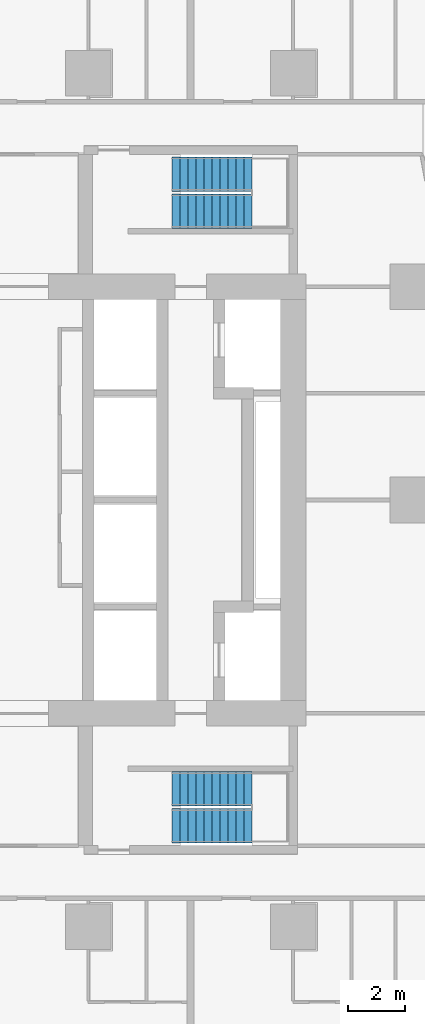
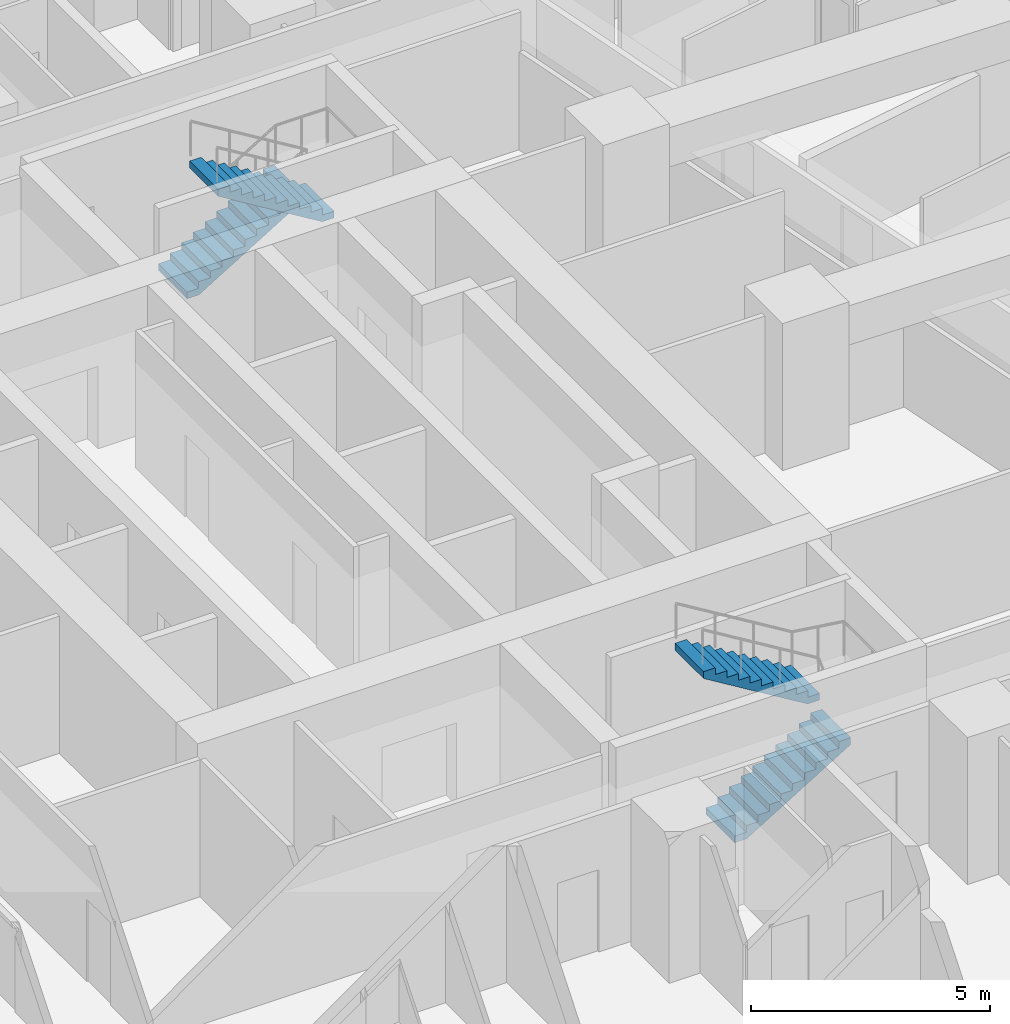
# One storey, part 13 of 16: 4 stair flights, 2 elements without a shape of their own.
"""IFC4 building model written with IfcOpenShell, lengths in metres."""

from ifc_helpers import new_model, si_unit, direction, frame, origin, place, context, subcontext, project, spatial, triangles, material, type_object, element, aggregate, save


model = new_model("IFC4")

# Units and contexts
model_context = context("Model", 3, precision=1e-05, world=origin(), true_north=direction((0.0, 1.0)))
body_context = subcontext(model_context, "Body", "Model", "MODEL_VIEW")
ifc_project = project(units=[si_unit("LENGTHUNIT", "METRE"), si_unit("AREAUNIT", "SQUARE_METRE"), si_unit("VOLUMEUNIT", "CUBIC_METRE"), si_unit("PLANEANGLEUNIT", "RADIAN"), si_unit("MASSUNIT", "GRAM", prefix="KILO")], contexts=[model_context])

# Site, building, storey
site_placement = place(None, origin())
site = spatial("IfcSite", under=ifc_project, at=site_placement, CompositionType="ELEMENT")
building_placement = place(site_placement, origin())
building = spatial("IfcBuilding", under=site, at=building_placement, Name="Sheger Commons Tower", CompositionType="ELEMENT")
storey_placement = place(building_placement, frame((0.0, 0.0, 92.89990234375)))
storey = spatial("IfcBuildingStorey", under=building, at=storey_placement, Name="L23", CompositionType="ELEMENT", Elevation=92.89990234375)

# Stair, stair flights
ifc_material_1 = material(Name="Concrete C35/45", Category="concrete")
stair_type = type_object("IfcStairType", Name="HALF-TURN STAIR 1200 RISE 3750", PredefinedType="HALF_TURN_STAIR", material=ifc_material_1)
stair_1_placement = place(storey_placement, origin())
stair_1 = element("IfcStair", 1, at=stair_1_placement, inside=storey, type_object=stair_type, Name="Stair S1 L23", PredefinedType="HALF_TURN_STAIR")
ifc_material_2 = material(Name="Concrete C35/45", Category="concrete")
stair_flight_type = type_object("IfcStairFlightType", Name="STAIR FLIGHT 1200 11 RISERS OF 170", PredefinedType="STRAIGHT", material=ifc_material_2)
stair_flight_1_placement = place(storey_placement, frame((24.550048828125, 11.050048828125, 0.0), z_axis=(0.0, 0.0, 1.0), x_axis=(1.0, 0.0, 0.0)))
stair_flight_1 = element("IfcStairFlight", 2, at=stair_flight_1_placement, type_object=stair_flight_type, Name="S1 flight 1", NumberOfRisers=11, NumberOfTreads=10, PredefinedType="STRAIGHT", RiserHeight=0.170454545, TreadLength=0.28, context=body_context, shape_type="Tessellation", body=[
    triangles([(0.0, 0.5999755859375, 0.0), (0.0, 0.5999755859375, 0.17041015625), (0.280029296875, 0.5999755859375, 0.17041015625), (0.280029296875, 0.5999755859375, 0.3408203125), (0.56005859375, 0.5999755859375, 0.3408203125), (0.56005859375, 0.5999755859375, 0.511474609375), (0.840087890625, 0.5999755859375, 0.511474609375), (0.840087890625, 0.5999755859375, 0.681884765625), (1.1201171875, 0.5999755859375, 0.681884765625), (1.1201171875, 0.5999755859375, 0.852294921875), (1.39990234375, 0.5999755859375, 0.852294921875), (1.39990234375, 0.5999755859375, 1.022705078125), (1.679931640625, 0.5999755859375, 1.022705078125), (1.679931640625, 0.5999755859375, 1.193115234375), (1.9599609375, 0.5999755859375, 1.193115234375), (1.9599609375, 0.5999755859375, 1.363525390625), (2.239990234375, 0.5999755859375, 1.363525390625), (2.239990234375, 0.5999755859375, 1.5341796875), (2.52001953125, 0.5999755859375, 1.5341796875), (2.52001953125, 0.5999755859375, 1.70458984375), (2.800048828125, 0.5999755859375, 1.70458984375), (2.800048828125, 0.5999755859375, 1.529052734375), (0.288330078125, 0.5999755859375, 0.0), (0.0, -0.5999755859375, 0.0), (0.0, -0.5999755859375, 0.17041015625), (0.280029296875, -0.5999755859375, 0.17041015625), (0.280029296875, -0.5999755859375, 0.3408203125), (0.56005859375, -0.5999755859375, 0.3408203125), (0.56005859375, -0.5999755859375, 0.511474609375), (0.840087890625, -0.5999755859375, 0.511474609375), (0.840087890625, -0.5999755859375, 0.681884765625), (1.1201171875, -0.5999755859375, 0.681884765625), (1.1201171875, -0.5999755859375, 0.852294921875), (1.39990234375, -0.5999755859375, 0.852294921875), (1.39990234375, -0.5999755859375, 1.022705078125), (1.679931640625, -0.5999755859375, 1.022705078125), (1.679931640625, -0.5999755859375, 1.193115234375), (1.9599609375, -0.5999755859375, 1.193115234375), (1.9599609375, -0.5999755859375, 1.363525390625), (2.239990234375, -0.5999755859375, 1.363525390625), (2.239990234375, -0.5999755859375, 1.5341796875), (2.52001953125, -0.5999755859375, 1.5341796875), (2.52001953125, -0.5999755859375, 1.70458984375), (2.800048828125, -0.5999755859375, 1.70458984375), (2.800048828125, -0.5999755859375, 1.529052734375), (0.288330078125, -0.5999755859375, 0.0), (0.0, 0.0, 0.085205078125), (0.1400146484375, 0.0, 0.17041015625), (0.280029296875, 0.0, 0.255615234375), (0.4200439453125, 0.0, 0.3408203125), (0.56005859375, 0.0, 0.4261474609375), (0.7000732421875, 0.0, 0.511474609375), (0.840087890625, 0.0, 0.5966796875), (0.9801025390625, 0.0, 0.681884765625), (1.1201171875, 0.0, 0.76708984375), (1.260009765625, 0.0, 0.852294921875), (1.39990234375, 0.0, 0.9375), (1.5399169921875, 0.0, 1.022705078125), (1.679931640625, 0.0, 1.10791015625), (1.8199462890625, 0.0, 1.193115234375), (1.9599609375, 0.0, 1.2783203125), (2.0999755859375, 0.0, 1.363525390625), (2.239990234375, 0.0, 1.4488525390625), (2.3800048828125, 0.0, 1.5341796875), (2.52001953125, 0.0, 1.619384765625), (2.6600341796875, 0.0, 1.70458984375), (2.800048828125, 0.0, 1.6168212890625), (1.544189453125, 0.0, 0.7645263671875), (0.1441650390625, 0.0, 0.0)], [[1, 22, 23], [24, 46, 45], [22, 20, 21], [45, 44, 43], [22, 19, 20], [45, 43, 42], [22, 18, 19], [45, 42, 41], [22, 17, 18], [45, 41, 40], [17, 15, 16], [40, 39, 38], [22, 15, 17], [45, 40, 38], [15, 13, 14], [38, 37, 36], [22, 13, 15], [45, 38, 36], [13, 11, 12], [36, 35, 34], [22, 11, 13], [45, 36, 34], [11, 9, 10], [34, 33, 32], [22, 9, 11], [45, 34, 32], [9, 7, 8], [32, 31, 30], [22, 7, 9], [45, 32, 30], [7, 5, 6], [30, 29, 28], [22, 5, 7], [45, 30, 28], [5, 3, 4], [28, 27, 26], [22, 3, 5], [45, 28, 26], [1, 3, 22], [24, 45, 26], [3, 1, 2], [26, 25, 24], [1, 47, 2], [2, 47, 25], [25, 47, 24], [24, 47, 1], [2, 48, 3], [3, 48, 26], [26, 48, 25], [25, 48, 2], [3, 49, 4], [4, 49, 27], [27, 49, 26], [26, 49, 3], [4, 50, 5], [5, 50, 28], [28, 50, 27], [27, 50, 4], [5, 51, 6], [6, 51, 29], [29, 51, 28], [28, 51, 5], [6, 52, 7], [7, 52, 30], [30, 52, 29], [29, 52, 6], [7, 53, 8], [8, 53, 31], [31, 53, 30], [30, 53, 7], [8, 54, 9], [9, 54, 32], [32, 54, 31], [31, 54, 8], [9, 55, 10], [10, 55, 33], [33, 55, 32], [32, 55, 9], [10, 56, 11], [11, 56, 34], [34, 56, 33], [33, 56, 10], [11, 57, 12], [12, 57, 35], [35, 57, 34], [34, 57, 11], [12, 58, 13], [13, 58, 36], [36, 58, 35], [35, 58, 12], [13, 59, 14], [14, 59, 37], [37, 59, 36], [36, 59, 13], [14, 60, 15], [15, 60, 38], [38, 60, 37], [37, 60, 14], [15, 61, 16], [16, 61, 39], [39, 61, 38], [38, 61, 15], [16, 62, 17], [17, 62, 40], [40, 62, 39], [39, 62, 16], [17, 63, 18], [18, 63, 41], [41, 63, 40], [40, 63, 17], [18, 64, 19], [19, 64, 42], [42, 64, 41], [41, 64, 18], [19, 65, 20], [20, 65, 43], [43, 65, 42], [42, 65, 19], [20, 66, 21], [21, 66, 44], [44, 66, 43], [43, 66, 20], [21, 67, 22], [22, 67, 45], [45, 67, 44], [44, 67, 21], [22, 68, 23], [23, 68, 46], [46, 68, 45], [45, 68, 22], [23, 69, 1], [1, 69, 24], [24, 69, 46], [46, 69, 23]], closed=True),
])
stair_flight_2_placement = place(storey_placement, frame((27.35009765625, 12.35009765625, 1.875), z_axis=(0.0, 0.0, 1.0), x_axis=(-1.0, 0.0, 0.0)))
stair_flight_2 = element("IfcStairFlight", 3, at=stair_flight_2_placement, type_object=stair_flight_type, Name="S1 flight 2", NumberOfRisers=11, NumberOfTreads=10, PredefinedType="STRAIGHT", RiserHeight=0.170454545, TreadLength=0.28, context=body_context, shape_type="Tessellation", body=[
    triangles([(0.0, 0.5999755859375, 0.0), (0.0, 0.5999755859375, 0.17041015625), (0.280029296875, 0.5999755859375, 0.17041015625), (0.280029296875, 0.5999755859375, 0.3408203125), (0.56005859375, 0.5999755859375, 0.3408203125), (0.56005859375, 0.5999755859375, 0.511474609375), (0.840087890625, 0.5999755859375, 0.511474609375), (0.840087890625, 0.5999755859375, 0.681884765625), (1.1201171875, 0.5999755859375, 0.681884765625), (1.1201171875, 0.5999755859375, 0.852294921875), (1.39990234375, 0.5999755859375, 0.852294921875), (1.39990234375, 0.5999755859375, 1.022705078125), (1.679931640625, 0.5999755859375, 1.022705078125), (1.679931640625, 0.5999755859375, 1.193115234375), (1.9599609375, 0.5999755859375, 1.193115234375), (1.9599609375, 0.5999755859375, 1.363525390625), (2.239990234375, 0.5999755859375, 1.363525390625), (2.239990234375, 0.5999755859375, 1.5341796875), (2.52001953125, 0.5999755859375, 1.5341796875), (2.52001953125, 0.5999755859375, 1.70458984375), (2.800048828125, 0.5999755859375, 1.70458984375), (2.800048828125, 0.5999755859375, 1.529052734375), (0.288330078125, 0.5999755859375, 0.0), (0.0, -0.5999755859375, 0.0), (0.0, -0.5999755859375, 0.17041015625), (0.280029296875, -0.5999755859375, 0.17041015625), (0.280029296875, -0.5999755859375, 0.3408203125), (0.56005859375, -0.5999755859375, 0.3408203125), (0.56005859375, -0.5999755859375, 0.511474609375), (0.840087890625, -0.5999755859375, 0.511474609375), (0.840087890625, -0.5999755859375, 0.681884765625), (1.1201171875, -0.5999755859375, 0.681884765625), (1.1201171875, -0.5999755859375, 0.852294921875), (1.39990234375, -0.5999755859375, 0.852294921875), (1.39990234375, -0.5999755859375, 1.022705078125), (1.679931640625, -0.5999755859375, 1.022705078125), (1.679931640625, -0.5999755859375, 1.193115234375), (1.9599609375, -0.5999755859375, 1.193115234375), (1.9599609375, -0.5999755859375, 1.363525390625), (2.239990234375, -0.5999755859375, 1.363525390625), (2.239990234375, -0.5999755859375, 1.5341796875), (2.52001953125, -0.5999755859375, 1.5341796875), (2.52001953125, -0.5999755859375, 1.70458984375), (2.800048828125, -0.5999755859375, 1.70458984375), (2.800048828125, -0.5999755859375, 1.529052734375), (0.288330078125, -0.5999755859375, 0.0), (0.0, 0.0, 0.085205078125), (0.1400146484375, 0.0, 0.17041015625), (0.280029296875, 0.0, 0.255615234375), (0.4200439453125, 0.0, 0.3408203125), (0.56005859375, 0.0, 0.4261474609375), (0.7000732421875, 0.0, 0.511474609375), (0.840087890625, 0.0, 0.5966796875), (0.9801025390625, 0.0, 0.681884765625), (1.1201171875, 0.0, 0.76708984375), (1.260009765625, 0.0, 0.852294921875), (1.39990234375, 0.0, 0.9375), (1.5399169921875, 0.0, 1.022705078125), (1.679931640625, 0.0, 1.10791015625), (1.8199462890625, 0.0, 1.193115234375), (1.9599609375, 0.0, 1.2783203125), (2.0999755859375, 0.0, 1.363525390625), (2.239990234375, 0.0, 1.4488525390625), (2.3800048828125, 0.0, 1.5341796875), (2.52001953125, 0.0, 1.619384765625), (2.6600341796875, 0.0, 1.70458984375), (2.800048828125, 0.0, 1.6168212890625), (1.544189453125, 0.0, 0.7645263671875), (0.1441650390625, 0.0, 0.0)], [[1, 22, 23], [24, 46, 45], [22, 20, 21], [45, 44, 43], [22, 19, 20], [45, 43, 42], [22, 18, 19], [45, 42, 41], [22, 17, 18], [45, 41, 40], [17, 15, 16], [40, 39, 38], [22, 15, 17], [45, 40, 38], [15, 13, 14], [38, 37, 36], [22, 13, 15], [45, 38, 36], [13, 11, 12], [36, 35, 34], [22, 11, 13], [45, 36, 34], [11, 9, 10], [34, 33, 32], [22, 9, 11], [45, 34, 32], [9, 7, 8], [32, 31, 30], [22, 7, 9], [45, 32, 30], [7, 5, 6], [30, 29, 28], [22, 5, 7], [45, 30, 28], [5, 3, 4], [28, 27, 26], [22, 3, 5], [45, 28, 26], [1, 3, 22], [24, 45, 26], [3, 1, 2], [26, 25, 24], [1, 47, 2], [2, 47, 25], [25, 47, 24], [24, 47, 1], [2, 48, 3], [3, 48, 26], [26, 48, 25], [25, 48, 2], [3, 49, 4], [4, 49, 27], [27, 49, 26], [26, 49, 3], [4, 50, 5], [5, 50, 28], [28, 50, 27], [27, 50, 4], [5, 51, 6], [6, 51, 29], [29, 51, 28], [28, 51, 5], [6, 52, 7], [7, 52, 30], [30, 52, 29], [29, 52, 6], [7, 53, 8], [8, 53, 31], [31, 53, 30], [30, 53, 7], [8, 54, 9], [9, 54, 32], [32, 54, 31], [31, 54, 8], [9, 55, 10], [10, 55, 33], [33, 55, 32], [32, 55, 9], [10, 56, 11], [11, 56, 34], [34, 56, 33], [33, 56, 10], [11, 57, 12], [12, 57, 35], [35, 57, 34], [34, 57, 11], [12, 58, 13], [13, 58, 36], [36, 58, 35], [35, 58, 12], [13, 59, 14], [14, 59, 37], [37, 59, 36], [36, 59, 13], [14, 60, 15], [15, 60, 38], [38, 60, 37], [37, 60, 14], [15, 61, 16], [16, 61, 39], [39, 61, 38], [38, 61, 15], [16, 62, 17], [17, 62, 40], [40, 62, 39], [39, 62, 16], [17, 63, 18], [18, 63, 41], [41, 63, 40], [40, 63, 17], [18, 64, 19], [19, 64, 42], [42, 64, 41], [41, 64, 18], [19, 65, 20], [20, 65, 43], [43, 65, 42], [42, 65, 19], [20, 66, 21], [21, 66, 44], [44, 66, 43], [43, 66, 20], [21, 67, 22], [22, 67, 45], [45, 67, 44], [44, 67, 21], [22, 68, 23], [23, 68, 46], [46, 68, 45], [45, 68, 22], [23, 69, 1], [1, 69, 24], [24, 69, 46], [46, 69, 23]], closed=True),
])
aggregate(stair_1, [stair_flight_1, stair_flight_2])

stair_2_placement = place(storey_placement, origin())
stair_2 = element("IfcStair", 4, at=stair_2_placement, inside=storey, type_object=stair_type, Name="Stair S2 L23", PredefinedType="HALF_TURN_STAIR")
stair_flight_3_placement = place(storey_placement, frame((24.550048828125, 33.949951171875, 0.0), z_axis=(0.0, 0.0, 1.0), x_axis=(1.0, 0.0, 0.0)))
stair_flight_3 = element("IfcStairFlight", 5, at=stair_flight_3_placement, type_object=stair_flight_type, Name="S2 flight 1", NumberOfRisers=11, NumberOfTreads=10, PredefinedType="STRAIGHT", RiserHeight=0.170454545, TreadLength=0.28, context=body_context, shape_type="Tessellation", body=[
    triangles([(0.0, 0.5999755859375, 0.0), (0.0, 0.5999755859375, 0.17041015625), (0.280029296875, 0.5999755859375, 0.17041015625), (0.280029296875, 0.5999755859375, 0.3408203125), (0.56005859375, 0.5999755859375, 0.3408203125), (0.56005859375, 0.5999755859375, 0.511474609375), (0.840087890625, 0.5999755859375, 0.511474609375), (0.840087890625, 0.5999755859375, 0.681884765625), (1.1201171875, 0.5999755859375, 0.681884765625), (1.1201171875, 0.5999755859375, 0.852294921875), (1.39990234375, 0.5999755859375, 0.852294921875), (1.39990234375, 0.5999755859375, 1.022705078125), (1.679931640625, 0.5999755859375, 1.022705078125), (1.679931640625, 0.5999755859375, 1.193115234375), (1.9599609375, 0.5999755859375, 1.193115234375), (1.9599609375, 0.5999755859375, 1.363525390625), (2.239990234375, 0.5999755859375, 1.363525390625), (2.239990234375, 0.5999755859375, 1.5341796875), (2.52001953125, 0.5999755859375, 1.5341796875), (2.52001953125, 0.5999755859375, 1.70458984375), (2.800048828125, 0.5999755859375, 1.70458984375), (2.800048828125, 0.5999755859375, 1.529052734375), (0.288330078125, 0.5999755859375, 0.0), (0.0, -0.5999755859375, 0.0), (0.0, -0.5999755859375, 0.17041015625), (0.280029296875, -0.5999755859375, 0.17041015625), (0.280029296875, -0.5999755859375, 0.3408203125), (0.56005859375, -0.5999755859375, 0.3408203125), (0.56005859375, -0.5999755859375, 0.511474609375), (0.840087890625, -0.5999755859375, 0.511474609375), (0.840087890625, -0.5999755859375, 0.681884765625), (1.1201171875, -0.5999755859375, 0.681884765625), (1.1201171875, -0.5999755859375, 0.852294921875), (1.39990234375, -0.5999755859375, 0.852294921875), (1.39990234375, -0.5999755859375, 1.022705078125), (1.679931640625, -0.5999755859375, 1.022705078125), (1.679931640625, -0.5999755859375, 1.193115234375), (1.9599609375, -0.5999755859375, 1.193115234375), (1.9599609375, -0.5999755859375, 1.363525390625), (2.239990234375, -0.5999755859375, 1.363525390625), (2.239990234375, -0.5999755859375, 1.5341796875), (2.52001953125, -0.5999755859375, 1.5341796875), (2.52001953125, -0.5999755859375, 1.70458984375), (2.800048828125, -0.5999755859375, 1.70458984375), (2.800048828125, -0.5999755859375, 1.529052734375), (0.288330078125, -0.5999755859375, 0.0), (0.0, 0.0, 0.085205078125), (0.1400146484375, 0.0, 0.17041015625), (0.280029296875, 0.0, 0.255615234375), (0.4200439453125, 0.0, 0.3408203125), (0.56005859375, 0.0, 0.4261474609375), (0.7000732421875, 0.0, 0.511474609375), (0.840087890625, 0.0, 0.5966796875), (0.9801025390625, 0.0, 0.681884765625), (1.1201171875, 0.0, 0.76708984375), (1.260009765625, 0.0, 0.852294921875), (1.39990234375, 0.0, 0.9375), (1.5399169921875, 0.0, 1.022705078125), (1.679931640625, 0.0, 1.10791015625), (1.8199462890625, 0.0, 1.193115234375), (1.9599609375, 0.0, 1.2783203125), (2.0999755859375, 0.0, 1.363525390625), (2.239990234375, 0.0, 1.4488525390625), (2.3800048828125, 0.0, 1.5341796875), (2.52001953125, 0.0, 1.619384765625), (2.6600341796875, 0.0, 1.70458984375), (2.800048828125, 0.0, 1.6168212890625), (1.544189453125, 0.0, 0.7645263671875), (0.1441650390625, 0.0, 0.0)], [[1, 22, 23], [24, 46, 45], [22, 20, 21], [45, 44, 43], [22, 19, 20], [45, 43, 42], [22, 18, 19], [45, 42, 41], [22, 17, 18], [45, 41, 40], [17, 15, 16], [40, 39, 38], [22, 15, 17], [45, 40, 38], [15, 13, 14], [38, 37, 36], [22, 13, 15], [45, 38, 36], [13, 11, 12], [36, 35, 34], [22, 11, 13], [45, 36, 34], [11, 9, 10], [34, 33, 32], [22, 9, 11], [45, 34, 32], [9, 7, 8], [32, 31, 30], [22, 7, 9], [45, 32, 30], [7, 5, 6], [30, 29, 28], [22, 5, 7], [45, 30, 28], [5, 3, 4], [28, 27, 26], [22, 3, 5], [45, 28, 26], [1, 3, 22], [24, 45, 26], [3, 1, 2], [26, 25, 24], [1, 47, 2], [2, 47, 25], [25, 47, 24], [24, 47, 1], [2, 48, 3], [3, 48, 26], [26, 48, 25], [25, 48, 2], [3, 49, 4], [4, 49, 27], [27, 49, 26], [26, 49, 3], [4, 50, 5], [5, 50, 28], [28, 50, 27], [27, 50, 4], [5, 51, 6], [6, 51, 29], [29, 51, 28], [28, 51, 5], [6, 52, 7], [7, 52, 30], [30, 52, 29], [29, 52, 6], [7, 53, 8], [8, 53, 31], [31, 53, 30], [30, 53, 7], [8, 54, 9], [9, 54, 32], [32, 54, 31], [31, 54, 8], [9, 55, 10], [10, 55, 33], [33, 55, 32], [32, 55, 9], [10, 56, 11], [11, 56, 34], [34, 56, 33], [33, 56, 10], [11, 57, 12], [12, 57, 35], [35, 57, 34], [34, 57, 11], [12, 58, 13], [13, 58, 36], [36, 58, 35], [35, 58, 12], [13, 59, 14], [14, 59, 37], [37, 59, 36], [36, 59, 13], [14, 60, 15], [15, 60, 38], [38, 60, 37], [37, 60, 14], [15, 61, 16], [16, 61, 39], [39, 61, 38], [38, 61, 15], [16, 62, 17], [17, 62, 40], [40, 62, 39], [39, 62, 16], [17, 63, 18], [18, 63, 41], [41, 63, 40], [40, 63, 17], [18, 64, 19], [19, 64, 42], [42, 64, 41], [41, 64, 18], [19, 65, 20], [20, 65, 43], [43, 65, 42], [42, 65, 19], [20, 66, 21], [21, 66, 44], [44, 66, 43], [43, 66, 20], [21, 67, 22], [22, 67, 45], [45, 67, 44], [44, 67, 21], [22, 68, 23], [23, 68, 46], [46, 68, 45], [45, 68, 22], [23, 69, 1], [1, 69, 24], [24, 69, 46], [46, 69, 23]], closed=True),
])
stair_flight_4_placement = place(storey_placement, frame((27.35009765625, 32.64990234375, 1.875), z_axis=(0.0, 0.0, 1.0), x_axis=(-1.0, 0.0, 0.0)))
stair_flight_4 = element("IfcStairFlight", 6, at=stair_flight_4_placement, type_object=stair_flight_type, Name="S2 flight 2", NumberOfRisers=11, NumberOfTreads=10, PredefinedType="STRAIGHT", RiserHeight=0.170454545, TreadLength=0.28, context=body_context, shape_type="Tessellation", body=[
    triangles([(0.0, 0.5999755859375, 0.0), (0.0, 0.5999755859375, 0.17041015625), (0.280029296875, 0.5999755859375, 0.17041015625), (0.280029296875, 0.5999755859375, 0.3408203125), (0.56005859375, 0.5999755859375, 0.3408203125), (0.56005859375, 0.5999755859375, 0.511474609375), (0.840087890625, 0.5999755859375, 0.511474609375), (0.840087890625, 0.5999755859375, 0.681884765625), (1.1201171875, 0.5999755859375, 0.681884765625), (1.1201171875, 0.5999755859375, 0.852294921875), (1.39990234375, 0.5999755859375, 0.852294921875), (1.39990234375, 0.5999755859375, 1.022705078125), (1.679931640625, 0.5999755859375, 1.022705078125), (1.679931640625, 0.5999755859375, 1.193115234375), (1.9599609375, 0.5999755859375, 1.193115234375), (1.9599609375, 0.5999755859375, 1.363525390625), (2.239990234375, 0.5999755859375, 1.363525390625), (2.239990234375, 0.5999755859375, 1.5341796875), (2.52001953125, 0.5999755859375, 1.5341796875), (2.52001953125, 0.5999755859375, 1.70458984375), (2.800048828125, 0.5999755859375, 1.70458984375), (2.800048828125, 0.5999755859375, 1.529052734375), (0.288330078125, 0.5999755859375, 0.0), (0.0, -0.5999755859375, 0.0), (0.0, -0.5999755859375, 0.17041015625), (0.280029296875, -0.5999755859375, 0.17041015625), (0.280029296875, -0.5999755859375, 0.3408203125), (0.56005859375, -0.5999755859375, 0.3408203125), (0.56005859375, -0.5999755859375, 0.511474609375), (0.840087890625, -0.5999755859375, 0.511474609375), (0.840087890625, -0.5999755859375, 0.681884765625), (1.1201171875, -0.5999755859375, 0.681884765625), (1.1201171875, -0.5999755859375, 0.852294921875), (1.39990234375, -0.5999755859375, 0.852294921875), (1.39990234375, -0.5999755859375, 1.022705078125), (1.679931640625, -0.5999755859375, 1.022705078125), (1.679931640625, -0.5999755859375, 1.193115234375), (1.9599609375, -0.5999755859375, 1.193115234375), (1.9599609375, -0.5999755859375, 1.363525390625), (2.239990234375, -0.5999755859375, 1.363525390625), (2.239990234375, -0.5999755859375, 1.5341796875), (2.52001953125, -0.5999755859375, 1.5341796875), (2.52001953125, -0.5999755859375, 1.70458984375), (2.800048828125, -0.5999755859375, 1.70458984375), (2.800048828125, -0.5999755859375, 1.529052734375), (0.288330078125, -0.5999755859375, 0.0), (0.0, 0.0, 0.085205078125), (0.1400146484375, 0.0, 0.17041015625), (0.280029296875, 0.0, 0.255615234375), (0.4200439453125, 0.0, 0.3408203125), (0.56005859375, 0.0, 0.4261474609375), (0.7000732421875, 0.0, 0.511474609375), (0.840087890625, 0.0, 0.5966796875), (0.9801025390625, 0.0, 0.681884765625), (1.1201171875, 0.0, 0.76708984375), (1.260009765625, 0.0, 0.852294921875), (1.39990234375, 0.0, 0.9375), (1.5399169921875, 0.0, 1.022705078125), (1.679931640625, 0.0, 1.10791015625), (1.8199462890625, 0.0, 1.193115234375), (1.9599609375, 0.0, 1.2783203125), (2.0999755859375, 0.0, 1.363525390625), (2.239990234375, 0.0, 1.4488525390625), (2.3800048828125, 0.0, 1.5341796875), (2.52001953125, 0.0, 1.619384765625), (2.6600341796875, 0.0, 1.70458984375), (2.800048828125, 0.0, 1.6168212890625), (1.544189453125, 0.0, 0.7645263671875), (0.1441650390625, 0.0, 0.0)], [[1, 22, 23], [24, 46, 45], [22, 20, 21], [45, 44, 43], [22, 19, 20], [45, 43, 42], [22, 18, 19], [45, 42, 41], [22, 17, 18], [45, 41, 40], [17, 15, 16], [40, 39, 38], [22, 15, 17], [45, 40, 38], [15, 13, 14], [38, 37, 36], [22, 13, 15], [45, 38, 36], [13, 11, 12], [36, 35, 34], [22, 11, 13], [45, 36, 34], [11, 9, 10], [34, 33, 32], [22, 9, 11], [45, 34, 32], [9, 7, 8], [32, 31, 30], [22, 7, 9], [45, 32, 30], [7, 5, 6], [30, 29, 28], [22, 5, 7], [45, 30, 28], [5, 3, 4], [28, 27, 26], [22, 3, 5], [45, 28, 26], [1, 3, 22], [24, 45, 26], [3, 1, 2], [26, 25, 24], [1, 47, 2], [2, 47, 25], [25, 47, 24], [24, 47, 1], [2, 48, 3], [3, 48, 26], [26, 48, 25], [25, 48, 2], [3, 49, 4], [4, 49, 27], [27, 49, 26], [26, 49, 3], [4, 50, 5], [5, 50, 28], [28, 50, 27], [27, 50, 4], [5, 51, 6], [6, 51, 29], [29, 51, 28], [28, 51, 5], [6, 52, 7], [7, 52, 30], [30, 52, 29], [29, 52, 6], [7, 53, 8], [8, 53, 31], [31, 53, 30], [30, 53, 7], [8, 54, 9], [9, 54, 32], [32, 54, 31], [31, 54, 8], [9, 55, 10], [10, 55, 33], [33, 55, 32], [32, 55, 9], [10, 56, 11], [11, 56, 34], [34, 56, 33], [33, 56, 10], [11, 57, 12], [12, 57, 35], [35, 57, 34], [34, 57, 11], [12, 58, 13], [13, 58, 36], [36, 58, 35], [35, 58, 12], [13, 59, 14], [14, 59, 37], [37, 59, 36], [36, 59, 13], [14, 60, 15], [15, 60, 38], [38, 60, 37], [37, 60, 14], [15, 61, 16], [16, 61, 39], [39, 61, 38], [38, 61, 15], [16, 62, 17], [17, 62, 40], [40, 62, 39], [39, 62, 16], [17, 63, 18], [18, 63, 41], [41, 63, 40], [40, 63, 17], [18, 64, 19], [19, 64, 42], [42, 64, 41], [41, 64, 18], [19, 65, 20], [20, 65, 43], [43, 65, 42], [42, 65, 19], [20, 66, 21], [21, 66, 44], [44, 66, 43], [43, 66, 20], [21, 67, 22], [22, 67, 45], [45, 67, 44], [44, 67, 21], [22, 68, 23], [23, 68, 46], [46, 68, 45], [45, 68, 22], [23, 69, 1], [1, 69, 24], [24, 69, 46], [46, 69, 23]], closed=True),
])
aggregate(stair_2, [stair_flight_3, stair_flight_4])

save(model, "model.ifc")
